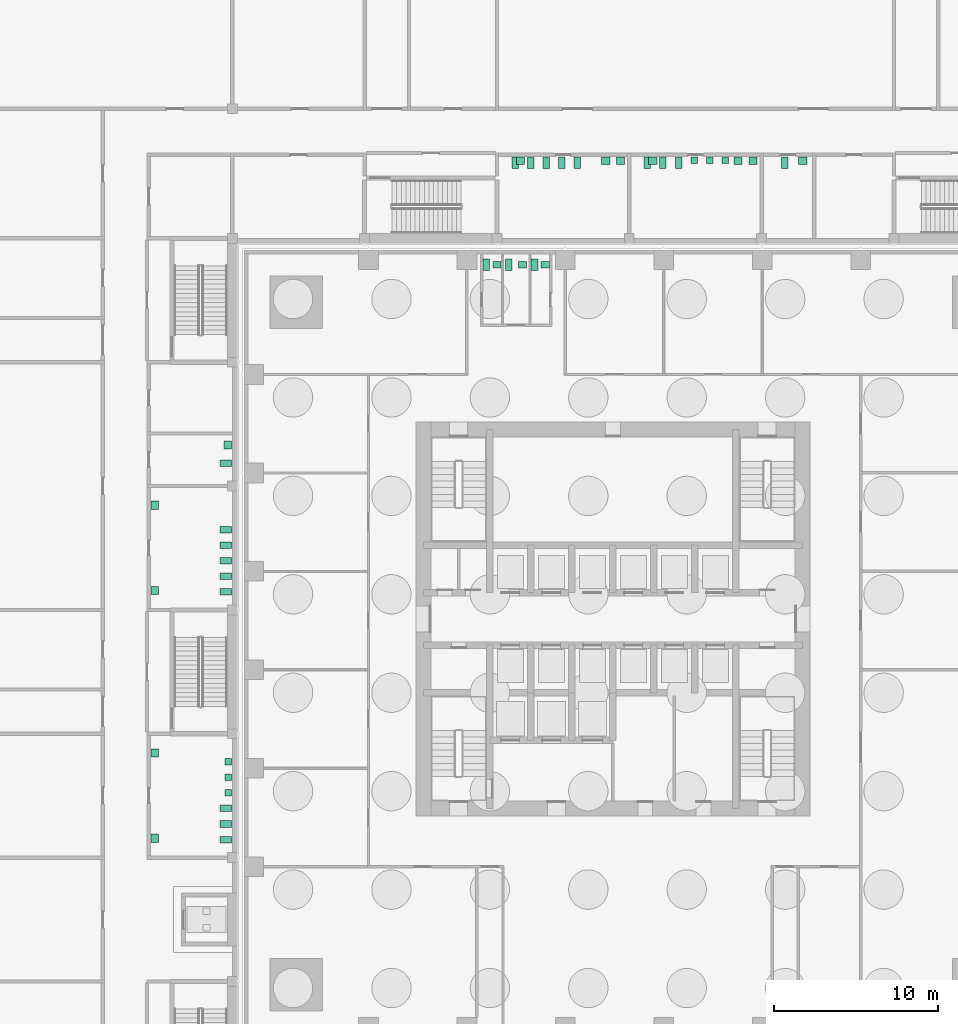
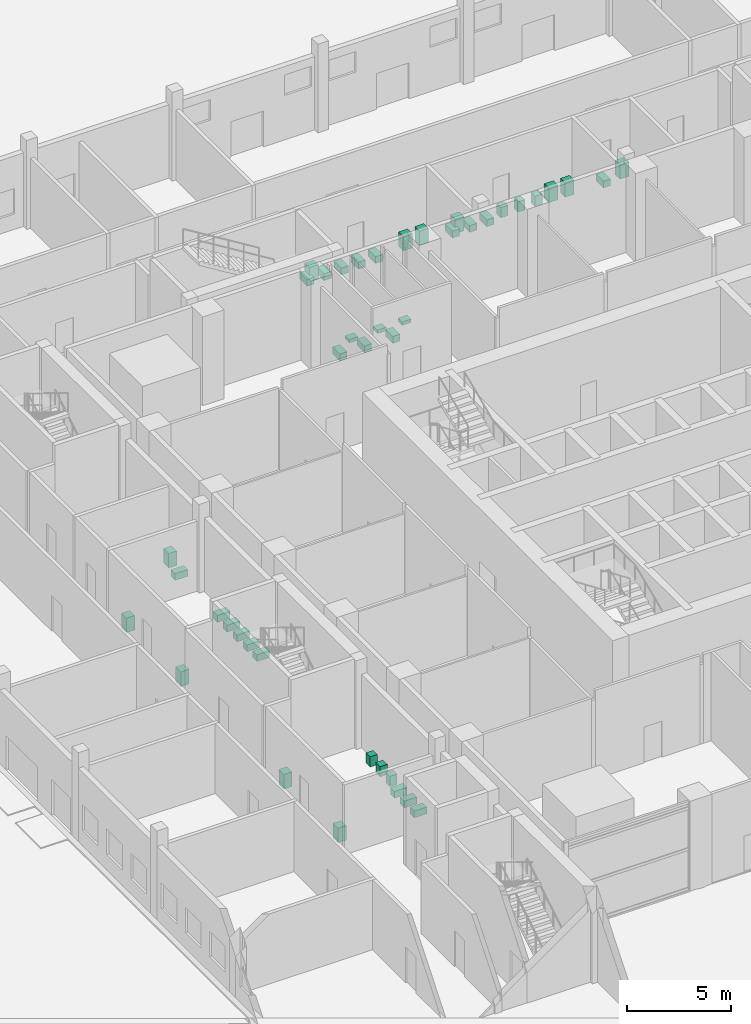
# One storey, part 32 of 33: 42 sanitary terminals.
"""IFC4 building model written with IfcOpenShell, lengths in metres."""

from ifc_helpers import new_model, si_unit, direction, frame, origin, origin_2d, place, context, subcontext, project, spatial, rectangle, extrude, element, save


model = new_model("IFC4")

# Units and contexts
model_context = context("Model", 3, precision=1e-05, world=origin(), true_north=direction((0.0, 1.0)))
body_context = subcontext(model_context, "Body", "Model", "MODEL_VIEW")
ifc_project = project(units=[si_unit("LENGTHUNIT", "METRE"), si_unit("AREAUNIT", "SQUARE_METRE"), si_unit("VOLUMEUNIT", "CUBIC_METRE"), si_unit("PLANEANGLEUNIT", "RADIAN"), si_unit("MASSUNIT", "GRAM", prefix="KILO")], contexts=[model_context])

# Site, building, storey
site_placement = place(None, origin())
site = spatial("IfcSite", under=ifc_project, at=site_placement, CompositionType="ELEMENT")
building_placement = place(site_placement, origin())
building = spatial("IfcBuilding", under=site, at=building_placement, Name="Amberfall Residences", CompositionType="ELEMENT")
storey_placement = place(building_placement, origin())
storey = spatial("IfcBuildingStorey", under=building, at=storey_placement, Name="L00", CompositionType="ELEMENT", Elevation=0.0)

# Sanitary terminals
sanitary_terminal_1_placement = place(storey_placement, frame((66.780029296875, 67.10009765625, 0.0), z_axis=(0.0, 0.0, 1.0), x_axis=(1.0, 0.0, 0.0)))
element("IfcSanitaryTerminal", 1, at=sanitary_terminal_1_placement, inside=storey, Name="WC pan Gents WC L00", PredefinedType="TOILETPAN", context=body_context, shape_type="SweptSolid", body=[
    extrude(rectangle(XDim=0.39990234375, YDim=0.699951171875, at=origin_2d()), origin(), (0.0, 0.0, 1.0), 0.39990234375),
])
sanitary_terminal_2_placement = place(storey_placement, frame((67.429931640625, 67.10009765625, 0.75), z_axis=(0.0, 0.0, 1.0), x_axis=(1.0, 0.0, 0.0)))
element("IfcSanitaryTerminal", 2, at=sanitary_terminal_2_placement, inside=storey, Name="Wash basin Gents WC L00", PredefinedType="WASHHANDBASIN", context=body_context, shape_type="SweptSolid", body=[
    extrude(rectangle(XDim=0.5, YDim=0.39990234375, at=origin_2d()), origin(), (0.0, 0.0, 1.0), 0.199951171875),
])
sanitary_terminal_3_placement = place(storey_placement, frame((68.14501953125, 67.10009765625, 0.0), z_axis=(0.0, 0.0, 1.0), x_axis=(1.0, 0.0, 0.0)))
element("IfcSanitaryTerminal", 3, at=sanitary_terminal_3_placement, inside=storey, Name="WC pan Accessible WC L00", PredefinedType="TOILETPAN", context=body_context, shape_type="SweptSolid", body=[
    extrude(rectangle(XDim=0.39990234375, YDim=0.699951171875, at=origin_2d()), origin(), (0.0, 0.0, 1.0), 0.39990234375),
])
sanitary_terminal_4_placement = place(storey_placement, frame((68.989990234375, 67.10009765625, 0.75), z_axis=(0.0, 0.0, 1.0), x_axis=(1.0, 0.0, 0.0)))
element("IfcSanitaryTerminal", 4, at=sanitary_terminal_4_placement, inside=storey, Name="Wash basin Accessible WC L00", PredefinedType="WASHHANDBASIN", context=body_context, shape_type="SweptSolid", body=[
    extrude(rectangle(XDim=0.5, YDim=0.39990234375, at=origin_2d()), origin(), (0.0, 0.0, 1.0), 0.199951171875),
])
sanitary_terminal_5_placement = place(storey_placement, frame((69.719970703125, 67.10009765625, 0.0), z_axis=(0.0, 0.0, 1.0), x_axis=(1.0, 0.0, 0.0)))
element("IfcSanitaryTerminal", 5, at=sanitary_terminal_5_placement, inside=storey, Name="WC pan Ladies WC L00", PredefinedType="TOILETPAN", context=body_context, shape_type="SweptSolid", body=[
    extrude(rectangle(XDim=0.39990234375, YDim=0.699951171875, at=origin_2d()), origin(), (0.0, 0.0, 1.0), 0.39990234375),
])
sanitary_terminal_6_placement = place(storey_placement, frame((70.3701171875, 67.10009765625, 0.75), z_axis=(0.0, 0.0, 1.0), x_axis=(1.0, 0.0, 0.0)))
element("IfcSanitaryTerminal", 6, at=sanitary_terminal_6_placement, inside=storey, Name="Wash basin Ladies WC L00", PredefinedType="WASHHANDBASIN", context=body_context, shape_type="SweptSolid", body=[
    extrude(rectangle(XDim=0.5, YDim=0.39990234375, at=origin_2d()), origin(), (0.0, 0.0, 1.0), 0.199951171875),
])
for number, where, z_axis, x_axis, name in (
    (7, (50.89990234375, 32.050048828125, 0.0), (0.0, 0.0, 1.0), (1.0, 0.0, 0.0), "Water closet"),
    (8, (50.89990234375, 33.0, 0.0), (0.0, 0.0, 1.0), (1.0, 0.0, 0.0), "Water closet"),
    (9, (50.89990234375, 33.949951171875, 0.0), (0.0, 0.0, 1.0), (1.0, 0.0, 0.0), "Water closet"),
):
    element("IfcSanitaryTerminal", number, at=place(storey_placement, frame(where, z_axis=z_axis, x_axis=x_axis)), inside=storey, Name=name, PredefinedType="TOILETPAN", context=body_context, shape_type="SweptSolid", body=[
        extrude(rectangle(XDim=0.699951171875, YDim=0.39990234375, at=origin_2d()), origin(), (0.0, 0.0, 1.0), 0.39990234375),
    ])
for number, where, z_axis, x_axis, name in (
    (10, (51.050048828125, 34.89990234375, 0.0), (0.0, 0.0, 1.0), (1.0, 0.0, 0.0), "Urinal"),
    (11, (51.050048828125, 35.85009765625, 0.0), (0.0, 0.0, 1.0), (1.0, 0.0, 0.0), "Urinal"),
    (12, (51.050048828125, 36.800048828125, 0.0), (0.0, 0.0, 1.0), (1.0, 0.0, 0.0), "Urinal"),
):
    element("IfcSanitaryTerminal", number, at=place(storey_placement, frame(where, z_axis=z_axis, x_axis=x_axis)), inside=storey, Name=name, PredefinedType="URINAL", context=body_context, shape_type="SweptSolid", body=[
        extrude(rectangle(XDim=0.39990234375, YDim=0.39990234375, at=origin_2d()), origin(), (0.0, 0.0, 1.0), 0.60009765625),
    ])
for number, where, z_axis, x_axis, name in (
    (13, (46.574951171875, 32.125, 0.0), (0.0, 0.0, 1.0), (1.0, 0.0, 0.0), "Basin"),
    (14, (46.574951171875, 37.324951171875, 0.0), (0.0, 0.0, 1.0), (1.0, 0.0, 0.0), "Basin"),
):
    element("IfcSanitaryTerminal", number, at=place(storey_placement, frame(where, z_axis=z_axis, x_axis=x_axis)), inside=storey, Name=name, PredefinedType="WASHHANDBASIN", context=body_context, shape_type="SweptSolid", body=[
        extrude(rectangle(XDim=0.449951171875, YDim=0.5, at=origin_2d()), origin(), (0.0, 0.0, 1.0), 0.85009765625),
    ])
for number, where, z_axis, x_axis, name in (
    (15, (50.89990234375, 47.14990234375, 0.0), (0.0, 0.0, 1.0), (1.0, 0.0, 0.0), "Water closet"),
    (16, (50.89990234375, 48.10009765625, 0.0), (0.0, 0.0, 1.0), (1.0, 0.0, 0.0), "Water closet"),
    (17, (50.89990234375, 49.050048828125, 0.0), (0.0, 0.0, 1.0), (1.0, 0.0, 0.0), "Water closet"),
    (18, (50.89990234375, 50.0, 0.0), (0.0, 0.0, 1.0), (1.0, 0.0, 0.0), "Water closet"),
    (19, (50.89990234375, 50.949951171875, 0.0), (0.0, 0.0, 1.0), (1.0, 0.0, 0.0), "Water closet"),
):
    element("IfcSanitaryTerminal", number, at=place(storey_placement, frame(where, z_axis=z_axis, x_axis=x_axis)), inside=storey, Name=name, PredefinedType="TOILETPAN", context=body_context, shape_type="SweptSolid", body=[
        extrude(rectangle(XDim=0.699951171875, YDim=0.39990234375, at=origin_2d()), origin(), (0.0, 0.0, 1.0), 0.39990234375),
    ])
for number, where, z_axis, x_axis, name in (
    (20, (46.574951171875, 47.22509765625, 0.0), (0.0, 0.0, 1.0), (1.0, 0.0, 0.0), "Basin"),
    (21, (46.574951171875, 52.425048828125, 0.0), (0.0, 0.0, 1.0), (1.0, 0.0, 0.0), "Basin"),
):
    element("IfcSanitaryTerminal", number, at=place(storey_placement, frame(where, z_axis=z_axis, x_axis=x_axis)), inside=storey, Name=name, PredefinedType="WASHHANDBASIN", context=body_context, shape_type="SweptSolid", body=[
        extrude(rectangle(XDim=0.449951171875, YDim=0.5, at=origin_2d()), origin(), (0.0, 0.0, 1.0), 0.85009765625),
    ])
sanitary_terminal_7_placement = place(storey_placement, frame((50.89990234375, 55.0, 0.0), z_axis=(0.0, 0.0, 1.0), x_axis=(1.0, 0.0, 0.0)))
element("IfcSanitaryTerminal", 22, at=sanitary_terminal_7_placement, inside=storey, Name="Water closet", PredefinedType="TOILETPAN", context=body_context, shape_type="SweptSolid", body=[
    extrude(rectangle(XDim=0.699951171875, YDim=0.39990234375, at=origin_2d()), origin(), (0.0, 0.0, 1.0), 0.39990234375),
])
sanitary_terminal_8_placement = place(storey_placement, frame((51.02490234375, 56.10009765625, 0.0), z_axis=(0.0, 0.0, 1.0), x_axis=(1.0, 0.0, 0.0)))
element("IfcSanitaryTerminal", 23, at=sanitary_terminal_8_placement, inside=storey, Name="Basin", PredefinedType="WASHHANDBASIN", context=body_context, shape_type="SweptSolid", body=[
    extrude(rectangle(XDim=0.449951171875, YDim=0.5, at=origin_2d()), origin(), (0.0, 0.0, 1.0), 0.85009765625),
])
for number, where, z_axis, x_axis, name in (
    (24, (68.532958984375, 73.300048828125, 0.0), (0.0, 0.0, 1.0), (1.0, 0.0, 0.0), "Water closet"),
    (25, (69.48291015625, 73.300048828125, 0.0), (0.0, 0.0, 1.0), (1.0, 0.0, 0.0), "Water closet"),
    (26, (70.43310546875, 73.300048828125, 0.0), (0.0, 0.0, 1.0), (1.0, 0.0, 0.0), "Water closet"),
    (27, (71.383056640625, 73.300048828125, 0.0), (0.0, 0.0, 1.0), (1.0, 0.0, 0.0), "Water closet"),
    (28, (72.3330078125, 73.300048828125, 0.0), (0.0, 0.0, 1.0), (1.0, 0.0, 0.0), "Water closet"),
):
    element("IfcSanitaryTerminal", number, at=place(storey_placement, frame(where, z_axis=z_axis, x_axis=x_axis)), inside=storey, Name=name, PredefinedType="TOILETPAN", context=body_context, shape_type="SweptSolid", body=[
        extrude(rectangle(XDim=0.39990234375, YDim=0.699951171875, at=origin_2d()), origin(), (0.0, 0.0, 1.0), 0.39990234375),
    ])
for number, where, z_axis, x_axis, name in (
    (29, (68.866455078125, 73.425048828125, 0.0), (0.0, 0.0, 1.0), (1.0, 0.0, 0.0), "Basin"),
    (30, (74.06640625, 73.425048828125, 0.0), (0.0, 0.0, 1.0), (1.0, 0.0, 0.0), "Basin"),
    (31, (74.966552734375, 73.425048828125, 0.0), (0.0, 0.0, 1.0), (1.0, 0.0, 0.0), "Basin"),
):
    element("IfcSanitaryTerminal", number, at=place(storey_placement, frame(where, z_axis=z_axis, x_axis=x_axis)), inside=storey, Name=name, PredefinedType="WASHHANDBASIN", context=body_context, shape_type="SweptSolid", body=[
        extrude(rectangle(XDim=0.5, YDim=0.449951171875, at=origin_2d()), origin(), (0.0, 0.0, 1.0), 0.85009765625),
    ])
for number, where, z_axis, x_axis, name in (
    (32, (76.60009765625, 73.300048828125, 0.0), (0.0, 0.0, 1.0), (1.0, 0.0, 0.0), "Water closet"),
    (33, (77.550048828125, 73.300048828125, 0.0), (0.0, 0.0, 1.0), (1.0, 0.0, 0.0), "Water closet"),
    (34, (78.5, 73.300048828125, 0.0), (0.0, 0.0, 1.0), (1.0, 0.0, 0.0), "Water closet"),
):
    element("IfcSanitaryTerminal", number, at=place(storey_placement, frame(where, z_axis=z_axis, x_axis=x_axis)), inside=storey, Name=name, PredefinedType="TOILETPAN", context=body_context, shape_type="SweptSolid", body=[
        extrude(rectangle(XDim=0.39990234375, YDim=0.699951171875, at=origin_2d()), origin(), (0.0, 0.0, 1.0), 0.39990234375),
    ])
for number, where, z_axis, x_axis, name in (
    (35, (79.449951171875, 73.449951171875, 0.0), (0.0, 0.0, 1.0), (1.0, 0.0, 0.0), "Urinal"),
    (36, (80.39990234375, 73.449951171875, 0.0), (0.0, 0.0, 1.0), (1.0, 0.0, 0.0), "Urinal"),
    (37, (81.35009765625, 73.449951171875, 0.0), (0.0, 0.0, 1.0), (1.0, 0.0, 0.0), "Urinal"),
):
    element("IfcSanitaryTerminal", number, at=place(storey_placement, frame(where, z_axis=z_axis, x_axis=x_axis)), inside=storey, Name=name, PredefinedType="URINAL", context=body_context, shape_type="SweptSolid", body=[
        extrude(rectangle(XDim=0.39990234375, YDim=0.39990234375, at=origin_2d()), origin(), (0.0, 0.0, 1.0), 0.60009765625),
    ])
for number, where, z_axis, x_axis, name in (
    (38, (76.93359375, 73.425048828125, 0.0), (0.0, 0.0, 1.0), (1.0, 0.0, 0.0), "Basin"),
    (39, (82.133544921875, 73.425048828125, 0.0), (0.0, 0.0, 1.0), (1.0, 0.0, 0.0), "Basin"),
    (40, (83.033447265625, 73.425048828125, 0.0), (0.0, 0.0, 1.0), (1.0, 0.0, 0.0), "Basin"),
):
    element("IfcSanitaryTerminal", number, at=place(storey_placement, frame(where, z_axis=z_axis, x_axis=x_axis)), inside=storey, Name=name, PredefinedType="WASHHANDBASIN", context=body_context, shape_type="SweptSolid", body=[
        extrude(rectangle(XDim=0.5, YDim=0.449951171875, at=origin_2d()), origin(), (0.0, 0.0, 1.0), 0.85009765625),
    ])
sanitary_terminal_9_placement = place(storey_placement, frame((84.967041015625, 73.300048828125, 0.0), z_axis=(0.0, 0.0, 1.0), x_axis=(1.0, 0.0, 0.0)))
element("IfcSanitaryTerminal", 41, at=sanitary_terminal_9_placement, inside=storey, Name="Water closet", PredefinedType="TOILETPAN", context=body_context, shape_type="SweptSolid", body=[
    extrude(rectangle(XDim=0.39990234375, YDim=0.699951171875, at=origin_2d()), origin(), (0.0, 0.0, 1.0), 0.39990234375),
])
sanitary_terminal_10_placement = place(storey_placement, frame((86.06689453125, 73.425048828125, 0.0), z_axis=(0.0, 0.0, 1.0), x_axis=(1.0, 0.0, 0.0)))
element("IfcSanitaryTerminal", 42, at=sanitary_terminal_10_placement, inside=storey, Name="Basin", PredefinedType="WASHHANDBASIN", context=body_context, shape_type="SweptSolid", body=[
    extrude(rectangle(XDim=0.5, YDim=0.449951171875, at=origin_2d()), origin(), (0.0, 0.0, 1.0), 0.85009765625),
])

save(model, "model.ifc")
